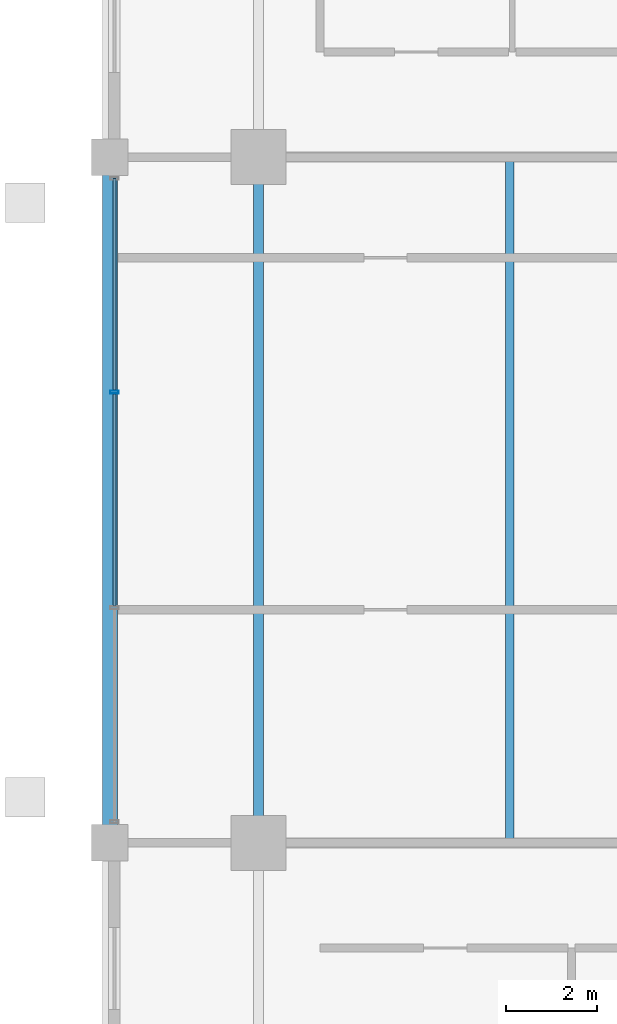
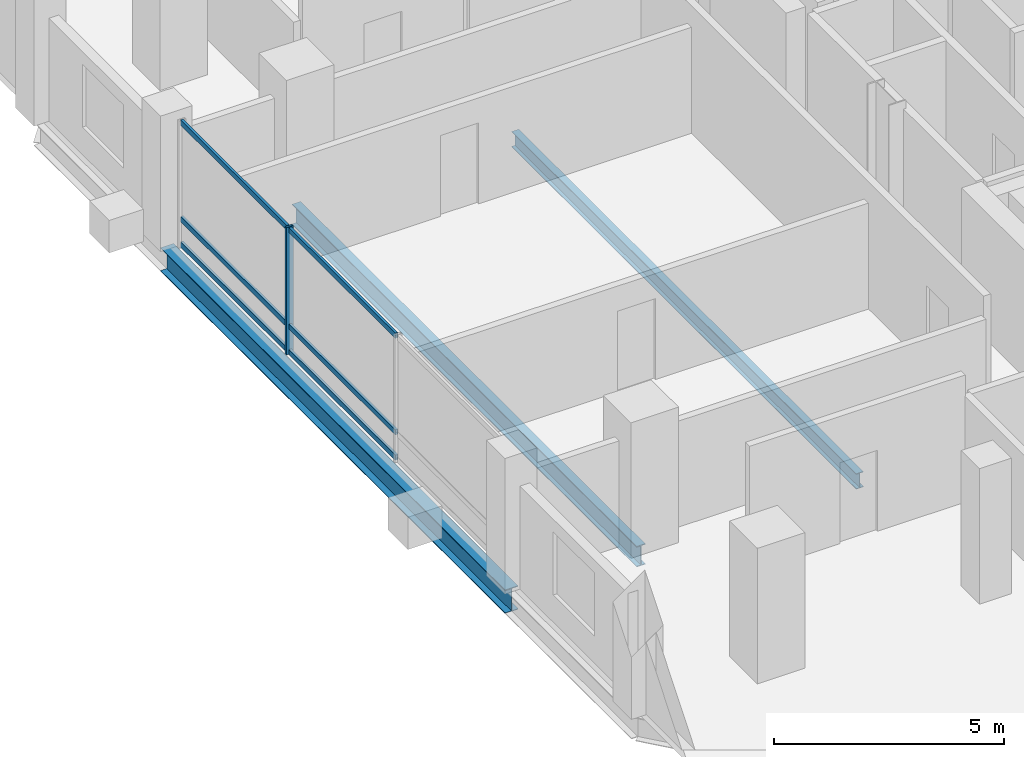
# One storey, part 5 of 20: 7 members, 3 beams, 1 element without a shape of its own.
"""IFC4 building model written with IfcOpenShell, lengths in metres."""

from ifc_helpers import new_model, si_unit, direction, frame, origin, origin_2d, place, context, subcontext, project, spatial, hollow_rectangle, i_section, extrude, material, layer, layer_set, material_profile, profile_set, type_object, element, aggregate, save


model = new_model("IFC4")

# Units and contexts
model_context = context("Model", 3, precision=1e-05, world=origin(), true_north=direction((0.0, 1.0)))
body_context = subcontext(model_context, "Body", "Model", "MODEL_VIEW")
ifc_project = project(units=[si_unit("LENGTHUNIT", "METRE"), si_unit("AREAUNIT", "SQUARE_METRE"), si_unit("VOLUMEUNIT", "CUBIC_METRE"), si_unit("PLANEANGLEUNIT", "RADIAN"), si_unit("MASSUNIT", "GRAM", prefix="KILO")], contexts=[model_context])

# Site, building, storey
site_placement = place(None, origin())
site = spatial("IfcSite", under=ifc_project, at=site_placement, CompositionType="ELEMENT")
building_placement = place(site_placement, origin())
building = spatial("IfcBuilding", under=site, at=building_placement, Name="Barlavira Tower and Art Museum", CompositionType="ELEMENT")
storey_placement = place(building_placement, frame((0.0, 0.0, 147.60009765625)))
storey = spatial("IfcBuildingStorey", under=building, at=storey_placement, Name="L37", CompositionType="ELEMENT", Elevation=147.60009765625)

# Curtain wall, members
ifc_material_1 = material(Name="Low-iron coastal laminated glass", Category="glass")
ifc_layer = layer(ifc_material_1, 0.18994140625, Name="Low-iron coastal laminated glass")
ifc_layer_set = layer_set([ifc_layer], Name="Low-iron coastal laminated glass")
curtain_wall_type = type_object("IfcCurtainWallType", Name="Pale-Metal Unitised Curtain Wall Zone 2", PredefinedType="NOTDEFINED", material=ifc_layer_set)
curtain_wall_placement = place(storey_placement, origin())
curtain_wall = element("IfcCurtainWall", 1, at=curtain_wall_placement, inside=storey, type_object=curtain_wall_type, Name="L37 Curtain Wall CW2-L37-W-B3", PredefinedType="NOTDEFINED")
ifc_material_2 = material(Name="Pale anodised aluminium", Category="aluminium")
ifc_material_profile_1 = material_profile(ifc_material_2, hollow_rectangle(XDim=0.06494140625, YDim=0.179931640625, WallThickness=0.00390625, at=origin_2d()), Name="ALU-MULL 65x180x4")
ifc_profile_set_1 = profile_set([ifc_material_profile_1], Name="Pale anodised aluminium")
member_type_1 = type_object("IfcMemberType", Name="Curtain Wall Pale-Metal Mullion 65x180", PredefinedType="MULLION", material=ifc_profile_set_1)
member_1_placement = place(storey_placement, frame((-20.14990234375, 2.360107421875, 0.0), z_axis=(0.0, 0.0, 1.0), x_axis=(0.0, -1.0, 0.0)))
member_1 = element("IfcMember", 2, at=member_1_placement, type_object=member_type_1, Name="CW2-L37-W-B3 Mullion 1", PredefinedType="MULLION", context=body_context, shape_type="SweptSolid", body=[
    extrude(hollow_rectangle(XDim=0.06494140625, YDim=0.179931640625, WallThickness=0.00390625, at=origin_2d()), origin(), (0.0, 0.0, 1.0), 3.3798828125),
])
ifc_material_profile_2 = material_profile(ifc_material_2, hollow_rectangle(XDim=0.06494140625, YDim=0.139892578125, WallThickness=0.00390625, at=origin_2d()), Name="ALU-TRAN 65x140x4")
ifc_profile_set_2 = profile_set([ifc_material_profile_2], Name="Pale anodised aluminium")
member_type_2 = type_object("IfcMemberType", Name="Curtain Wall Pale-Metal Transom 65x140", PredefinedType="USERDEFINED", material=ifc_profile_set_2)
member_2_placement = place(storey_placement, frame((-20.14990234375, 7.034912109375, 0.06982421875), z_axis=(0.0, -1.0, 0.0), x_axis=(1.0, 0.0, 0.0)))
member_2 = element("IfcMember", 3, at=member_2_placement, type_object=member_type_2, Name="CW2-L37-W-B3 Transom 0.1", ObjectType="TRANSOM", PredefinedType="USERDEFINED", context=body_context, shape_type="SweptSolid", body=[
    extrude(hollow_rectangle(XDim=0.06494140625, YDim=0.139892578125, WallThickness=0.00390625, at=origin_2d()), origin(), (0.0, 0.0, 1.0), 4.6298828125),
])
member_3_placement = place(storey_placement, frame((-20.14990234375, 7.034912109375, 0.743896484375), z_axis=(0.0, -1.0, 0.0), x_axis=(1.0, 0.0, 0.0)))
member_3 = element("IfcMember", 4, at=member_3_placement, type_object=member_type_2, Name="CW2-L37-W-B3 Transom 0.2", ObjectType="TRANSOM", PredefinedType="USERDEFINED", context=body_context, shape_type="SweptSolid", body=[
    extrude(hollow_rectangle(XDim=0.06494140625, YDim=0.139892578125, WallThickness=0.00390625, at=origin_2d()), origin(), (0.0, 0.0, 1.0), 4.6298828125),
])
member_4_placement = place(storey_placement, frame((-20.14990234375, 7.034912109375, 3.309814453125), z_axis=(0.0, -1.0, 0.0), x_axis=(1.0, 0.0, 0.0)))
member_4 = element("IfcMember", 5, at=member_4_placement, type_object=member_type_2, Name="CW2-L37-W-B3 Transom 0.3", ObjectType="TRANSOM", PredefinedType="USERDEFINED", context=body_context, shape_type="SweptSolid", body=[
    extrude(hollow_rectangle(XDim=0.06494140625, YDim=0.139892578125, WallThickness=0.00390625, at=origin_2d()), origin(), (0.0, 0.0, 1.0), 4.6298828125),
])
member_5_placement = place(storey_placement, frame((-20.14990234375, 2.31494140625, 0.06982421875), z_axis=(0.0, -1.0, 0.0), x_axis=(1.0, 0.0, 0.0)))
member_5 = element("IfcMember", 6, at=member_5_placement, type_object=member_type_2, Name="CW2-L37-W-B3 Transom 1.1", ObjectType="TRANSOM", PredefinedType="USERDEFINED", context=body_context, shape_type="SweptSolid", body=[
    extrude(hollow_rectangle(XDim=0.06494140625, YDim=0.139892578125, WallThickness=0.00390625, at=origin_2d()), origin(), (0.0, 0.0, 1.0), 4.6298828125),
])
member_6_placement = place(storey_placement, frame((-20.14990234375, 2.31494140625, 0.743896484375), z_axis=(0.0, -1.0, 0.0), x_axis=(1.0, 0.0, 0.0)))
member_6 = element("IfcMember", 7, at=member_6_placement, type_object=member_type_2, Name="CW2-L37-W-B3 Transom 1.2", ObjectType="TRANSOM", PredefinedType="USERDEFINED", context=body_context, shape_type="SweptSolid", body=[
    extrude(hollow_rectangle(XDim=0.06494140625, YDim=0.139892578125, WallThickness=0.00390625, at=origin_2d()), origin(), (0.0, 0.0, 1.0), 4.6298828125),
])
member_7_placement = place(storey_placement, frame((-20.14990234375, 2.31494140625, 3.309814453125), z_axis=(0.0, -1.0, 0.0), x_axis=(1.0, 0.0, 0.0)))
member_7 = element("IfcMember", 8, at=member_7_placement, type_object=member_type_2, Name="CW2-L37-W-B3 Transom 1.3", ObjectType="TRANSOM", PredefinedType="USERDEFINED", context=body_context, shape_type="SweptSolid", body=[
    extrude(hollow_rectangle(XDim=0.06494140625, YDim=0.139892578125, WallThickness=0.00390625, at=origin_2d()), origin(), (0.0, 0.0, 1.0), 4.6298828125),
])
aggregate(curtain_wall, [member_1, member_2, member_3, member_4, member_5, member_6, member_7])

# Beams
ifc_material_3 = material(Name="Steel S355", Category="steel")
ifc_material_profile_3 = material_profile(ifc_material_3, i_section(OverallWidth=0.327880859375, OverallDepth=0.62890625, WebThickness=0.013916015625, FlangeThickness=0.021484375, at=origin_2d()), Name="W610x174.0")
ifc_profile_set_3 = profile_set([ifc_material_profile_3], Name="Steel S355")
beam_type_1 = type_object("IfcBeamType", Name="Perimeter Spandrel Edge Beam W610x174 Steel S355", PredefinedType="SPANDREL", material=ifc_profile_set_3)
beam_1_placement = place(storey_placement, frame((-20.25, -7.5, -0.53466796875), z_axis=(0.0, 1.0, 0.0), x_axis=(-1.0, 0.0, 0.0)))
element("IfcBeam", 9, at=beam_1_placement, inside=storey, type_object=beam_type_1, Name="L37 Spandrel 14", PredefinedType="SPANDREL", context=body_context, shape_type="SweptSolid", body=[
    extrude(i_section(OverallWidth=0.327880859375, OverallDepth=0.62890625, WebThickness=0.013916015625, FlangeThickness=0.021484375, at=origin_2d()), origin(), (0.0, 0.0, 1.0), 15.0),
])
ifc_material_profile_4 = material_profile(ifc_material_3, i_section(OverallWidth=0.214111328125, OverallDepth=0.549072265625, WebThickness=0.0146484375, FlangeThickness=0.023681640625, at=origin_2d()), Name="W530x138.0")
ifc_profile_set_4 = profile_set([ifc_material_profile_4], Name="Steel S355")
beam_type_2 = type_object("IfcBeamType", Name="Zone 1 Primary Floor Girder W530x138 Steel S355", PredefinedType="BEAM", material=ifc_profile_set_4)
beam_2_placement = place(storey_placement, frame((-17.0, -7.5, -0.49462890625), z_axis=(0.0, 1.0, 0.0), x_axis=(-1.0, 0.0, 0.0)))
element("IfcBeam", 10, at=beam_2_placement, inside=storey, type_object=beam_type_2, Name="L37 Girder M-W2", PredefinedType="BEAM", context=body_context, shape_type="SweptSolid", body=[
    extrude(i_section(OverallWidth=0.214111328125, OverallDepth=0.549072265625, WebThickness=0.0146484375, FlangeThickness=0.023681640625, at=origin_2d()), origin(), (0.0, 0.0, 1.0), 15.0),
])
ifc_material_profile_5 = material_profile(ifc_material_3, i_section(OverallWidth=0.179931640625, OverallDepth=0.4130859375, WebThickness=0.009765625, FlangeThickness=0.01611328125, at=origin_2d()), Name="W410x75.0")
ifc_profile_set_5 = profile_set([ifc_material_profile_5], Name="Steel S355")
beam_type_3 = type_object("IfcBeamType", Name="Zone 2 Composite Floor Joist W410x75 Steel S355", PredefinedType="JOIST", material=ifc_profile_set_5)
beam_3_placement = place(storey_placement, frame((-11.5, -7.5, -0.426513671875), z_axis=(0.0, 1.0, 0.0), x_axis=(-1.0, 0.0, 0.0)))
element("IfcBeam", 11, at=beam_3_placement, inside=storey, type_object=beam_type_3, Name="L37 Joist W1", PredefinedType="JOIST", context=body_context, shape_type="SweptSolid", body=[
    extrude(i_section(OverallWidth=0.179931640625, OverallDepth=0.4130859375, WebThickness=0.009765625, FlangeThickness=0.01611328125, at=origin_2d()), origin(), (0.0, 0.0, 1.0), 15.0),
])

save(model, "model.ifc")
